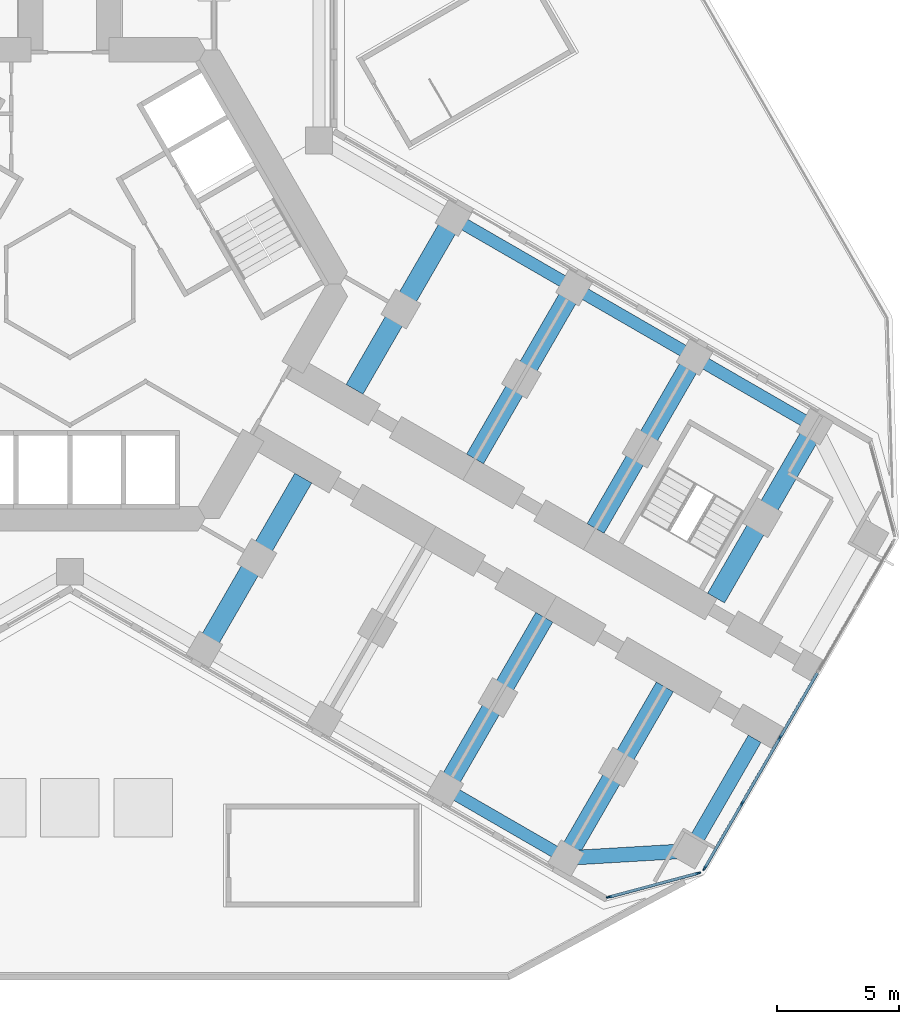
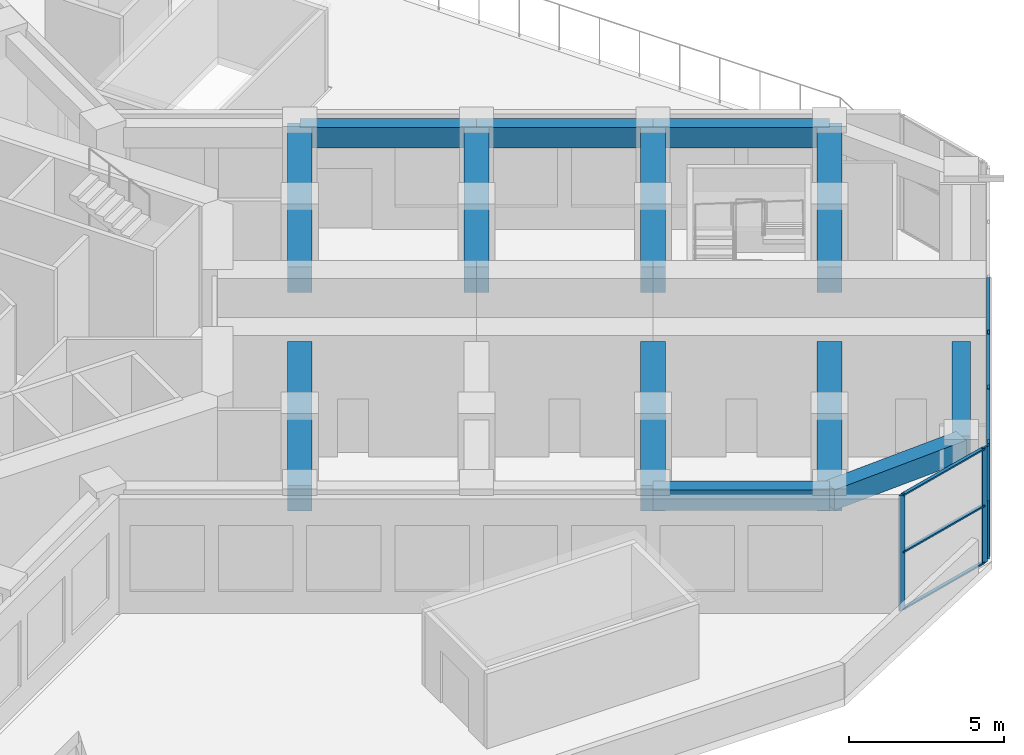
# One storey, part 4 of 18: 17 members, 13 beams, 2 elements without a shape of their own.
"""IFC4 building model written with IfcOpenShell, lengths in metres."""

import ifcopenshell
import ifcopenshell.guid

model = None  # the IFC model being written
_history = None  # IfcOwnerHistory: only IFC2X3 demands one
_inside = {}  # id of a spatial element -> (the spatial element, [elements in it])
_under = {}  # id of a project, library or spatial element -> (it, [spatial elements below it])
_declared = {}  # id of a project -> (the project, [libraries it declares])
_typed = {}  # id of a type object -> (the type object, [elements of that type])
_made_of = {}  # id of a material, layer set ... -> (it, [elements and type objects made of it])


def new_model(schema):
    """Start an empty IFC model of exactly this schema.

    Asked for "IFC4X3", IfcOpenShell would pick the latest addendum, in which some entities
    have other attributes; the version numbers below select the first issue.
    IFC2X3 requires an IfcOwnerHistory on every rooted entity: one is made here for all.
    """
    global model, _history
    if schema == "IFC4X3":
        model = ifcopenshell.file(schema_version=(4, 3, 0, 0))
    else:
        model = ifcopenshell.file(schema=schema)
    _inside.clear()
    _under.clear()
    _declared.clear()
    _typed.clear()
    _made_of.clear()
    _history = None
    if model.schema == "IFC2X3":
        org = make("IfcOrganization", Name="unknown")
        user = make(
            "IfcPersonAndOrganization",
            ThePerson=make("IfcPerson", FamilyName="unknown"),
            TheOrganization=org,
        )
        app = make(
            "IfcApplication",
            ApplicationDeveloper=org,
            Version="unknown",
            ApplicationFullName="unknown",
            ApplicationIdentifier="unknown",
        )
        _history = make(
            "IfcOwnerHistory",
            OwningUser=user,
            OwningApplication=app,
            ChangeAction="ADDED",
            CreationDate=0,
        )
    return model


def make(cls, **values):
    """One entity of the class cls with the attributes given. An attribute that is None is left unset."""
    return model.create_entity(
        cls, **{name: value for name, value in values.items() if value is not None}
    )


def rooted(cls, **values):
    """An entity with a GlobalId (a new one), such as an element, a storey or a relation."""
    return make(cls, GlobalId=ifcopenshell.guid.new(), OwnerHistory=_history, **values)


def si_unit(unit_type, name, prefix=None):
    """IfcSIUnit, for example si_unit("LENGTHUNIT", "METRE", prefix="MILLI")."""
    return make("IfcSIUnit", UnitType=unit_type, Prefix=prefix, Name=name)


def assignment(units):
    """IfcUnitAssignment: the units of a project."""
    return None if units is None else make("IfcUnitAssignment", Units=units)


def point(xyz):
    """IfcCartesianPoint."""
    return None if xyz is None else make("IfcCartesianPoint", Coordinates=xyz)


def direction(xyz):
    """IfcDirection."""
    return None if xyz is None else make("IfcDirection", DirectionRatios=xyz)


def frame(location, z_axis=None, x_axis=None):
    """IfcAxis2Placement3D, a coordinate frame: its origin and axes. An axis left out is left unset."""
    return make(
        "IfcAxis2Placement3D",
        Location=point(location),
        Axis=direction(z_axis),
        RefDirection=direction(x_axis),
    )


def frame_2d(location, x_axis=None):
    """IfcAxis2Placement2D, a coordinate frame in the plane: its origin and x axis."""
    return make(
        "IfcAxis2Placement2D", Location=point(location), RefDirection=direction(x_axis)
    )


def origin():
    """The frame at (0, 0, 0) with its axes left unset."""
    return frame((0.0, 0.0, 0.0))


def origin_2d():
    """The frame at (0, 0) in the plane with its x axis left unset."""
    return frame_2d((0.0, 0.0))


def place(relative_to, where):
    """IfcLocalPlacement: puts the frame where relative to a parent placement (None: the world)."""
    return make(
        "IfcLocalPlacement", PlacementRelTo=relative_to, RelativePlacement=where
    )


def context(
    kind, dimensions, precision=None, world=None, true_north=None, identifier=None
):
    """IfcGeometricRepresentationContext, for example the 3D "Model" context."""
    return make(
        "IfcGeometricRepresentationContext",
        ContextIdentifier=identifier,
        ContextType=kind,
        CoordinateSpaceDimension=dimensions,
        Precision=precision,
        WorldCoordinateSystem=world,
        TrueNorth=true_north,
    )


def subcontext(parent, identifier, kind, view, scale=None):
    """IfcGeometricRepresentationSubContext, for example "Body" below "Model"."""
    return make(
        "IfcGeometricRepresentationSubContext",
        ContextIdentifier=identifier,
        ContextType=kind,
        ParentContext=parent,
        TargetScale=scale,
        TargetView=view,
    )


def project(units=None, contexts=None):
    """IfcProject with its units and contexts."""
    return rooted(
        "IfcProject",
        Name="project",
        RepresentationContexts=contexts,
        UnitsInContext=assignment(units),
    )


def spatial(cls, under=None, at=None, **own):
    """A site, building, storey or space (cls), placed at a placement, below another one or the project."""
    s = rooted(cls, ObjectPlacement=at, **own)
    if under is not None:
        _under.setdefault(under.id(), (under, []))[1].append(s)
    return s


def profile(cls, at=None, kind="AREA", **sizes):
    """A parametric profile (cls). Its sizes go by their IFC names, for example OverallWidth=200.0."""
    return make(cls, ProfileType=kind, Position=at, **sizes)


def rectangle(**sizes):
    """IfcRectangleProfileDef."""
    return profile("IfcRectangleProfileDef", **sizes)


def extrude(swept, where, along, depth):
    """IfcExtrudedAreaSolid: the profile swept, set in the frame where, extruded along a direction by depth."""
    return make(
        "IfcExtrudedAreaSolid",
        SweptArea=swept,
        Position=where,
        ExtrudedDirection=direction(along),
        Depth=depth,
    )


def shape(context_of_items, identifier, shape_type, items):
    """IfcShapeRepresentation: the items that make up one representation, for example the "Body"."""
    return make(
        "IfcShapeRepresentation",
        ContextOfItems=context_of_items,
        RepresentationIdentifier=identifier,
        RepresentationType=shape_type,
        Items=items,
    )


def material(Name=None, Category=None):
    """IfcMaterial."""
    return make("IfcMaterial", Name=Name, Category=Category)


def material_profile(
    of_material, cross_section, Name=None, Category=None, Priority=None
):
    """IfcMaterialProfile: a cross section and its material."""
    return make(
        "IfcMaterialProfile",
        Name=Name,
        Material=of_material,
        Profile=cross_section,
        Priority=Priority,
        Category=Category,
    )


def profile_set(profiles, Name=None, composite=None):
    """IfcMaterialProfileSet."""
    return make(
        "IfcMaterialProfileSet",
        Name=Name,
        MaterialProfiles=profiles,
        CompositeProfile=composite,
    )


def made_of(thing, what):
    """Note that an element or type object is made of a material, layer set ...; save() writes the relation."""
    if what is not None:
        _made_of.setdefault(what.id(), (what, []))[1].append(thing)
    return thing


def type_object(cls, material=None, **own):
    """A type object (cls), such as IfcWallType, which elements share."""
    return made_of(rooted(cls, **own), material)


def element(
    cls,
    number,
    at=None,
    inside=None,
    cuts=None,
    type_object=None,
    material=None,
    context=None,
    identifier="Body",
    shape_type=None,
    held_by="IfcProductDefinitionShape",
    body=None,
    shapes=None,
    **own,
):
    """One element of the class cls, such as IfcWall. Its Tag is "e" and its number.

    at: its placement. inside: the storey or other place that contains it. cuts: it is an
    opening in that element (IfcRelVoidsElement). A single representation is given by context,
    identifier, shape_type and body (its items); several are given by shapes. held_by: the class
    of the entity that holds the representations. save() writes the other relations.
    """
    e = rooted(cls, Tag="e%d" % number, ObjectPlacement=at, **own)
    if body is not None:
        shapes = [shape(context, identifier, shape_type, body)]
    if shapes is not None:
        e.Representation = make(held_by, Representations=shapes)
    if inside is not None:
        _inside.setdefault(inside.id(), (inside, []))[1].append(e)
    if cuts is not None:
        rooted(
            "IfcRelVoidsElement", RelatingBuildingElement=cuts, RelatedOpeningElement=e
        )
    if type_object is not None:
        _typed.setdefault(type_object.id(), (type_object, []))[1].append(e)
    return made_of(e, material)


def aggregate(whole, parts):
    """IfcRelAggregates: a whole, such as a stair, and the parts it consists of."""
    return rooted("IfcRelAggregates", RelatingObject=whole, RelatedObjects=parts)


def save(model, path):
    """Write the relations noted so far, then the file.

    IfcRelAggregates (storeys below a building ...), IfcRelContainedInSpatialStructure (elements
    in a storey), IfcRelDefinesByType, IfcRelAssociatesMaterial and IfcRelDeclares: one each for
    every whole, place, type object, material and project.
    """
    for whole, parts in _under.values():
        aggregate(whole, parts)
    for where, things in _inside.values():
        rooted(
            "IfcRelContainedInSpatialStructure",
            RelatedElements=things,
            RelatingStructure=where,
        )
    for kind, things in _typed.values():
        rooted("IfcRelDefinesByType", RelatedObjects=things, RelatingType=kind)
    for what, things in _made_of.values():
        rooted("IfcRelAssociatesMaterial", RelatedObjects=things, RelatingMaterial=what)
    for by, libraries in _declared.values():
        rooted("IfcRelDeclares", RelatingContext=by, RelatedDefinitions=libraries)
    model.write(path)


model = new_model("IFC4")

# Units and contexts
model_context = context("Model", 3, precision=1e-05, world=origin(), true_north=direction((0.0, 1.0)))
body_context = subcontext(model_context, "Body", "Model", "MODEL_VIEW")
ifc_project = project(units=[si_unit("LENGTHUNIT", "METRE"), si_unit("AREAUNIT", "SQUARE_METRE"), si_unit("VOLUMEUNIT", "CUBIC_METRE"), si_unit("PLANEANGLEUNIT", "RADIAN"), si_unit("MASSUNIT", "GRAM", prefix="KILO")], contexts=[model_context])

# Site, building, storey
site_placement = place(None, origin())
site = spatial("IfcSite", under=ifc_project, at=site_placement, CompositionType="ELEMENT")
building_placement = place(site_placement, origin())
building = spatial("IfcBuilding", under=site, at=building_placement, Name="Kosmar Iwan School Tower", CompositionType="ELEMENT")
storey_placement = place(building_placement, frame((0.0, 0.0, 20.39990234375)))
storey = spatial("IfcBuildingStorey", under=building, at=storey_placement, Name="L04", CompositionType="ELEMENT", Elevation=20.39990234375)

# Curtain wall, members
ifc_material_1 = material(Name="Dark glass in black aluminium frame", Category="aluminium")
curtain_wall_type_1 = type_object("IfcCurtainWallType", Name="Chamfer curtain wall dark glass", PredefinedType="USERDEFINED", material=ifc_material_1)
curtain_wall_1_placement = place(storey_placement, origin())
curtain_wall_1 = element("IfcCurtainWall", 1, at=curtain_wall_1_placement, inside=storey, type_object=curtain_wall_type_1, Name="Curtain wall L04-F02", ObjectType="FACETED CURTAIN WALL", PredefinedType="USERDEFINED")
ifc_material_2 = material(Name="Black anodised aluminium", Category="aluminium")
ifc_material_profile_1 = material_profile(ifc_material_2, rectangle(XDim=0.06494140625, YDim=0.219970703125, at=origin_2d()), Name="MULLION 65x220")
ifc_profile_set_1 = profile_set([ifc_material_profile_1], Name="Black anodised aluminium")
member_type_1 = type_object("IfcMemberType", Name="Podium mullion 65x220", PredefinedType="MULLION", material=ifc_profile_set_1)
member_1_placement = place(storey_placement, frame((22.08544921875, -25.1015625, 0.0), z_axis=(0.0, 0.0, 1.0), x_axis=(-0.258818861462, 0.965925875495, 0.0)))
member_1 = element("IfcMember", 2, at=member_1_placement, type_object=member_type_1, Name="CW2 mullion 1", PredefinedType="MULLION", context=body_context, shape_type="SweptSolid", body=[
    extrude(rectangle(XDim=0.06494140625, YDim=0.219970703125, at=origin_2d()), origin(), (0.0, 0.0, 1.0), 4.550048828125),
])
member_2_placement = place(storey_placement, frame((25.730712890625, -24.124755859375, 0.0), z_axis=(0.0, 0.0, 1.0), x_axis=(-0.258818861462, 0.965925875495, 0.0)))
member_2 = element("IfcMember", 3, at=member_2_placement, type_object=member_type_1, Name="CW2 mullion 2", PredefinedType="MULLION", context=body_context, shape_type="SweptSolid", body=[
    extrude(rectangle(XDim=0.06494140625, YDim=0.219970703125, at=origin_2d()), origin(), (0.0, 0.0, 1.0), 4.550048828125),
])

ifc_material_3 = material(Name="Dark glass in black aluminium frame", Category="aluminium")
curtain_wall_type_2 = type_object("IfcCurtainWallType", Name="Tower curtain wall dark glass", PredefinedType="USERDEFINED", material=ifc_material_3)
curtain_wall_2_placement = place(storey_placement, origin())
curtain_wall_2 = element("IfcCurtainWall", 4, at=curtain_wall_2_placement, inside=storey, type_object=curtain_wall_type_2, Name="Curtain wall L04-F03", ObjectType="UNITISED CURTAIN WALL", PredefinedType="USERDEFINED")
member_3_placement = place(storey_placement, frame((25.998291015625, -23.91943359375, 0.0), z_axis=(0.0, 0.0, 1.0), x_axis=(-0.866025405329, 0.499999997325, 0.0)))
member_3 = element("IfcMember", 5, at=member_3_placement, type_object=member_type_1, Name="CW1 mullion 1", PredefinedType="MULLION", context=body_context, shape_type="SweptSolid", body=[
    extrude(rectangle(XDim=0.06494140625, YDim=0.219970703125, at=origin_2d()), origin(), (0.0, 0.0, 1.0), 4.550048828125),
])
member_4_placement = place(storey_placement, frame((27.53173828125, -21.263671875, 0.0), z_axis=(0.0, 0.0, 1.0), x_axis=(-0.866025405329, 0.499999997325, 0.0)))
member_4 = element("IfcMember", 6, at=member_4_placement, type_object=member_type_1, Name="CW1 mullion 2", PredefinedType="MULLION", context=body_context, shape_type="SweptSolid", body=[
    extrude(rectangle(XDim=0.06494140625, YDim=0.219970703125, at=origin_2d()), origin(), (0.0, 0.0, 1.0), 4.550048828125),
])
member_5_placement = place(storey_placement, frame((29.081298828125, -18.57958984375, 0.0), z_axis=(0.0, 0.0, 1.0), x_axis=(-0.866025405329, 0.499999997325, 0.0)))
member_5 = element("IfcMember", 7, at=member_5_placement, type_object=member_type_1, Name="CW1 mullion 3", PredefinedType="MULLION", context=body_context, shape_type="SweptSolid", body=[
    extrude(rectangle(XDim=0.06494140625, YDim=0.219970703125, at=origin_2d()), origin(), (0.0, 0.0, 1.0), 4.550048828125),
])

# Beams
ifc_material_4 = material(Name="Concrete C50/60", Category="concrete")
ifc_material_profile_2 = material_profile(ifc_material_4, rectangle(XDim=0.5, YDim=0.800048828125, at=origin_2d()), Name="RC 500x800")
ifc_profile_set_2 = profile_set([ifc_material_profile_2], Name="Concrete C50/60")
beam_type_1 = type_object("IfcBeamType", Name="RC edge beam 500x800", PredefinedType="BEAM", material=ifc_profile_set_2)
beam_1_placement = place(storey_placement, frame((15.708740234375, 2.70849609375, 4.150146484375), z_axis=(0.866025820012, -0.499999279071, 0.0), x_axis=(0.499999279071, 0.866025820012, 0.0)))
element("IfcBeam", 8, at=beam_1_placement, inside=storey, type_object=beam_type_1, Name="Edge beam CL2", PredefinedType="BEAM", context=body_context, shape_type="SweptSolid", body=[
    extrude(rectangle(XDim=0.5, YDim=0.800048828125, at=origin_2d()), origin(), (0.0, 0.0, 1.0), 5.7001953125),
])
for number, where, z_axis, x_axis, name in (
    (9, (20.645263671875, -0.1416015625, 4.150146484375), (0.866033658841, -0.49998570155, 0.0), (0.49998570155, 0.866033658841, 0.0), "Edge beam CL3"),
    (10, (25.58154296875, -2.991455078125, 4.150146484375), (0.866015111908, -0.50001782563, 0.0), (0.50001782563, 0.866015111908, 0.0), "Edge beam CL4"),
    (11, (15.381591796875, -20.658447265625, 4.150146484375), (0.866015111908, -0.50001782563, 0.0), (0.50001782563, 0.866015111908, 0.0), "Edge beam CR4"),
):
    element("IfcBeam", number, at=place(storey_placement, frame(where, z_axis=z_axis, x_axis=x_axis)), inside=storey, type_object=beam_type_1, Name=name, PredefinedType="BEAM", context=body_context, shape_type="SweptSolid", body=[
        extrude(rectangle(XDim=0.5, YDim=0.800048828125, at=origin_2d()), origin(), (0.0, 0.0, 1.0), 5.699951171875),
    ])
ifc_material_5 = material(Name="Concrete C50/60", Category="concrete")
ifc_material_profile_3 = material_profile(ifc_material_5, rectangle(XDim=0.60009765625, YDim=0.800048828125, at=origin_2d()), Name="RC 600x800")
ifc_profile_set_3 = profile_set([ifc_material_profile_3], Name="Concrete C50/60")
beam_type_2 = type_object("IfcBeamType", Name="RC tip beam 600x800", PredefinedType="BEAM", material=ifc_profile_set_3)
beam_2_placement = place(storey_placement, frame((20.31787109375, -23.508544921875, 4.150146484375), z_axis=(0.998260616478, 0.058955420358, 0.0), x_axis=(-0.058955420358, 0.998260616478, 0.0)))
element("IfcBeam", 12, at=beam_2_placement, inside=storey, type_object=beam_type_2, Name="Tip beam CR", PredefinedType="BEAM", context=body_context, shape_type="SweptSolid", body=[
    extrude(rectangle(XDim=0.60009765625, YDim=0.800048828125, at=origin_2d()), origin(), (0.0, 0.0, 1.0), 5.08935546875),
])
beam_3_placement = place(storey_placement, frame((25.3984375, -23.20849609375, 4.150146484375), z_axis=(0.499993606316, 0.866029095148, 0.0), x_axis=(-0.866029095148, 0.499993606316, 0.0)))
element("IfcBeam", 13, at=beam_3_placement, inside=storey, type_object=beam_type_2, Name="Tip beam CR to corridor wall", PredefinedType="BEAM", context=body_context, shape_type="SweptSolid", body=[
    extrude(rectangle(XDim=0.60009765625, YDim=0.800048828125, at=origin_2d()), origin(), (0.0, 0.0, 1.0), 5.2998046875),
])
ifc_material_6 = material(Name="Concrete C50/60", Category="concrete")
ifc_material_profile_4 = material_profile(ifc_material_6, rectangle(XDim=0.800048828125, YDim=1.0, at=origin_2d()), Name="RC 800x1000")
ifc_profile_set_4 = profile_set([ifc_material_profile_4], Name="Concrete C50/60")
beam_type_3 = type_object("IfcBeamType", Name="RC transverse beam 800x1000", PredefinedType="BEAM", material=ifc_profile_set_4)
beam_4_placement = place(storey_placement, frame((15.708740234375, 2.70849609375, 4.050048828125), z_axis=(-0.499999880539, -0.866025472755, 0.0), x_axis=(0.866025472755, -0.499999880539, 0.0)))
element("IfcBeam", 14, at=beam_4_placement, inside=storey, type_object=beam_type_3, Name="Transverse beam CL1", PredefinedType="BEAM", context=body_context, shape_type="SweptSolid", body=[
    extrude(rectangle(XDim=0.800048828125, YDim=1.0, at=origin_2d()), origin(), (0.0, 0.0, 1.0), 8.10009765625),
])
beam_5_placement = place(storey_placement, frame((20.645263671875, -0.1416015625, 4.050048828125), z_axis=(-0.500012932018, -0.866017937352, 0.0), x_axis=(0.866017937352, -0.500012932018, 0.0)))
element("IfcBeam", 15, at=beam_5_placement, inside=storey, type_object=beam_type_3, Name="Transverse beam CL2", PredefinedType="BEAM", context=body_context, shape_type="SweptSolid", body=[
    extrude(rectangle(XDim=0.800048828125, YDim=1.0, at=origin_2d()), origin(), (0.0, 0.0, 1.0), 8.099853515625),
])
for number, where, z_axis, x_axis, name in (
    (16, (25.58154296875, -2.991455078125, 4.050048828125), (-0.499999880539, -0.866025472755, 0.0), (0.866025472755, -0.499999880539, 0.0), "Transverse beam CL3"),
    (17, (30.517822265625, -5.841552734375, 4.050048828125), (-0.499999880539, -0.866025472755, 0.0), (0.866025472755, -0.499999880539, 0.0), "Transverse beam CL4"),
    (18, (5.5087890625, -14.95849609375, 4.050048828125), (0.499999880539, 0.866025472755, 0.0), (-0.866025472755, 0.499999880539, 0.0), "Transverse beam CR1"),
    (19, (15.381591796875, -20.658447265625, 4.050048828125), (0.499977274689, 0.866038523851, 0.0), (-0.866038523851, 0.499977274689, 0.0), "Transverse beam CR3"),
    (20, (20.31787109375, -23.508544921875, 4.050048828125), (0.499999880539, 0.866025472755, 0.0), (-0.866025472755, 0.499999880539, 0.0), "Transverse beam CR4"),
):
    element("IfcBeam", number, at=place(storey_placement, frame(where, z_axis=z_axis, x_axis=x_axis)), inside=storey, type_object=beam_type_3, Name=name, PredefinedType="BEAM", context=body_context, shape_type="SweptSolid", body=[
        extrude(rectangle(XDim=0.800048828125, YDim=1.0, at=origin_2d()), origin(), (0.0, 0.0, 1.0), 8.10009765625),
    ])

# Member
ifc_material_7 = material(Name="Black anodised aluminium", Category="aluminium")
ifc_material_profile_5 = material_profile(ifc_material_7, rectangle(XDim=0.1201171875, YDim=0.06005859375, at=origin_2d()), Name="TRANSOM 60x120")
ifc_profile_set_5 = profile_set([ifc_material_profile_5], Name="Black anodised aluminium")
member_type_2 = type_object("IfcMemberType", Name="Transom 60x120", PredefinedType="USERDEFINED", material=ifc_profile_set_5)
member_6_placement = place(storey_placement, frame((22.11669921875, -25.09326171875, 0.030029296875), z_axis=(0.965928366929, 0.258809563119, 0.0), x_axis=(-0.258809563119, 0.965928366929, 0.0)))
member_6 = element("IfcMember", 21, at=member_6_placement, type_object=member_type_2, Name="CW2 transom 1.1", ObjectType="TRANSOM", PredefinedType="USERDEFINED", context=body_context, shape_type="SweptSolid", body=[
    extrude(rectangle(XDim=0.1201171875, YDim=0.06005859375, at=origin_2d()), origin(), (0.0, 0.0, 1.0), 3.709228515625),
])

member_7_placement = place(storey_placement, frame((22.11669921875, -25.09326171875, 2.275146484375), z_axis=(0.965928366929, 0.258809563119, 0.0), x_axis=(-0.258809563119, 0.965928366929, 0.0)))
member_7 = element("IfcMember", 22, at=member_7_placement, type_object=member_type_2, Name="CW2 transom 1.2", ObjectType="TRANSOM", PredefinedType="USERDEFINED", context=body_context, shape_type="SweptSolid", body=[
    extrude(rectangle(XDim=0.1201171875, YDim=0.06005859375, at=origin_2d()), origin(), (0.0, 0.0, 1.0), 3.709228515625),
])

member_8_placement = place(storey_placement, frame((22.11669921875, -25.09326171875, 4.52001953125), z_axis=(0.965928366929, 0.258809563119, 0.0), x_axis=(-0.258809563119, 0.965928366929, 0.0)))
member_8 = element("IfcMember", 23, at=member_8_placement, type_object=member_type_2, Name="CW2 transom 1.3", ObjectType="TRANSOM", PredefinedType="USERDEFINED", context=body_context, shape_type="SweptSolid", body=[
    extrude(rectangle(XDim=0.1201171875, YDim=0.06005859375, at=origin_2d()), origin(), (0.0, 0.0, 1.0), 3.709228515625),
])

aggregate(curtain_wall_1, [member_1, member_2, member_6, member_7, member_8])

member_9_placement = place(storey_placement, frame((26.0146484375, -23.891357421875, 0.030029296875), z_axis=(0.500022833518, 0.866012220445, 0.0), x_axis=(-0.866012220445, 0.500022833518, 0.0)))
member_9 = element("IfcMember", 24, at=member_9_placement, type_object=member_type_2, Name="CW1 transom 1.1", ObjectType="TRANSOM", PredefinedType="USERDEFINED", context=body_context, shape_type="SweptSolid", body=[
    extrude(rectangle(XDim=0.1201171875, YDim=0.06005859375, at=origin_2d()), origin(), (0.0, 0.0, 1.0), 3.001708984375),
])

member_10_placement = place(storey_placement, frame((26.0146484375, -23.891357421875, 2.275146484375), z_axis=(0.500022833518, 0.866012220445, 0.0), x_axis=(-0.866012220445, 0.500022833518, 0.0)))
member_10 = element("IfcMember", 25, at=member_10_placement, type_object=member_type_2, Name="CW1 transom 1.2", ObjectType="TRANSOM", PredefinedType="USERDEFINED", context=body_context, shape_type="SweptSolid", body=[
    extrude(rectangle(XDim=0.1201171875, YDim=0.06005859375, at=origin_2d()), origin(), (0.0, 0.0, 1.0), 3.001708984375),
])

member_11_placement = place(storey_placement, frame((26.0146484375, -23.891357421875, 4.52001953125), z_axis=(0.500022833518, 0.866012220445, 0.0), x_axis=(-0.866012220445, 0.500022833518, 0.0)))
member_11 = element("IfcMember", 26, at=member_11_placement, type_object=member_type_2, Name="CW1 transom 1.3", ObjectType="TRANSOM", PredefinedType="USERDEFINED", context=body_context, shape_type="SweptSolid", body=[
    extrude(rectangle(XDim=0.1201171875, YDim=0.06005859375, at=origin_2d()), origin(), (0.0, 0.0, 1.0), 3.001708984375),
])

member_12_placement = place(storey_placement, frame((27.548095703125, -21.2353515625, 0.030029296875), z_axis=(0.499998735884, 0.866026133621, 0.0), x_axis=(-0.866026133621, 0.499998735884, 0.0)))
member_12 = element("IfcMember", 27, at=member_12_placement, type_object=member_type_2, Name="CW1 transom 2.1", ObjectType="TRANSOM", PredefinedType="USERDEFINED", context=body_context, shape_type="SweptSolid", body=[
    extrude(rectangle(XDim=0.1201171875, YDim=0.06005859375, at=origin_2d()), origin(), (0.0, 0.0, 1.0), 3.0341796875),
])

member_13_placement = place(storey_placement, frame((27.548095703125, -21.2353515625, 2.275146484375), z_axis=(0.499998735884, 0.866026133621, 0.0), x_axis=(-0.866026133621, 0.499998735884, 0.0)))
member_13 = element("IfcMember", 28, at=member_13_placement, type_object=member_type_2, Name="CW1 transom 2.2", ObjectType="TRANSOM", PredefinedType="USERDEFINED", context=body_context, shape_type="SweptSolid", body=[
    extrude(rectangle(XDim=0.1201171875, YDim=0.06005859375, at=origin_2d()), origin(), (0.0, 0.0, 1.0), 3.0341796875),
])

member_14_placement = place(storey_placement, frame((27.548095703125, -21.2353515625, 4.52001953125), z_axis=(0.499998735884, 0.866026133621, 0.0), x_axis=(-0.866026133621, 0.499998735884, 0.0)))
member_14 = element("IfcMember", 29, at=member_14_placement, type_object=member_type_2, Name="CW1 transom 2.3", ObjectType="TRANSOM", PredefinedType="USERDEFINED", context=body_context, shape_type="SweptSolid", body=[
    extrude(rectangle(XDim=0.1201171875, YDim=0.06005859375, at=origin_2d()), origin(), (0.0, 0.0, 1.0), 3.0341796875),
])

member_15_placement = place(storey_placement, frame((29.09765625, -18.55126953125, 0.030029296875), z_axis=(0.499998735884, 0.866026133621, 0.0), x_axis=(-0.866026133621, 0.499998735884, 0.0)))
member_15 = element("IfcMember", 30, at=member_15_placement, type_object=member_type_2, Name="CW1 transom 3.1", ObjectType="TRANSOM", PredefinedType="USERDEFINED", context=body_context, shape_type="SweptSolid", body=[
    extrude(rectangle(XDim=0.1201171875, YDim=0.06005859375, at=origin_2d()), origin(), (0.0, 0.0, 1.0), 3.0341796875),
])

member_16_placement = place(storey_placement, frame((29.09765625, -18.55126953125, 2.275146484375), z_axis=(0.499998735884, 0.866026133621, 0.0), x_axis=(-0.866026133621, 0.499998735884, 0.0)))
member_16 = element("IfcMember", 31, at=member_16_placement, type_object=member_type_2, Name="CW1 transom 3.2", ObjectType="TRANSOM", PredefinedType="USERDEFINED", context=body_context, shape_type="SweptSolid", body=[
    extrude(rectangle(XDim=0.1201171875, YDim=0.06005859375, at=origin_2d()), origin(), (0.0, 0.0, 1.0), 3.0341796875),
])

member_17_placement = place(storey_placement, frame((29.09765625, -18.55126953125, 4.52001953125), z_axis=(0.499998735884, 0.866026133621, 0.0), x_axis=(-0.866026133621, 0.499998735884, 0.0)))
member_17 = element("IfcMember", 32, at=member_17_placement, type_object=member_type_2, Name="CW1 transom 3.3", ObjectType="TRANSOM", PredefinedType="USERDEFINED", context=body_context, shape_type="SweptSolid", body=[
    extrude(rectangle(XDim=0.1201171875, YDim=0.06005859375, at=origin_2d()), origin(), (0.0, 0.0, 1.0), 3.0341796875),
])

aggregate(curtain_wall_2, [member_3, member_4, member_5, member_9, member_10, member_11, member_12, member_13, member_14, member_15, member_16, member_17])

save(model, "model.ifc")
